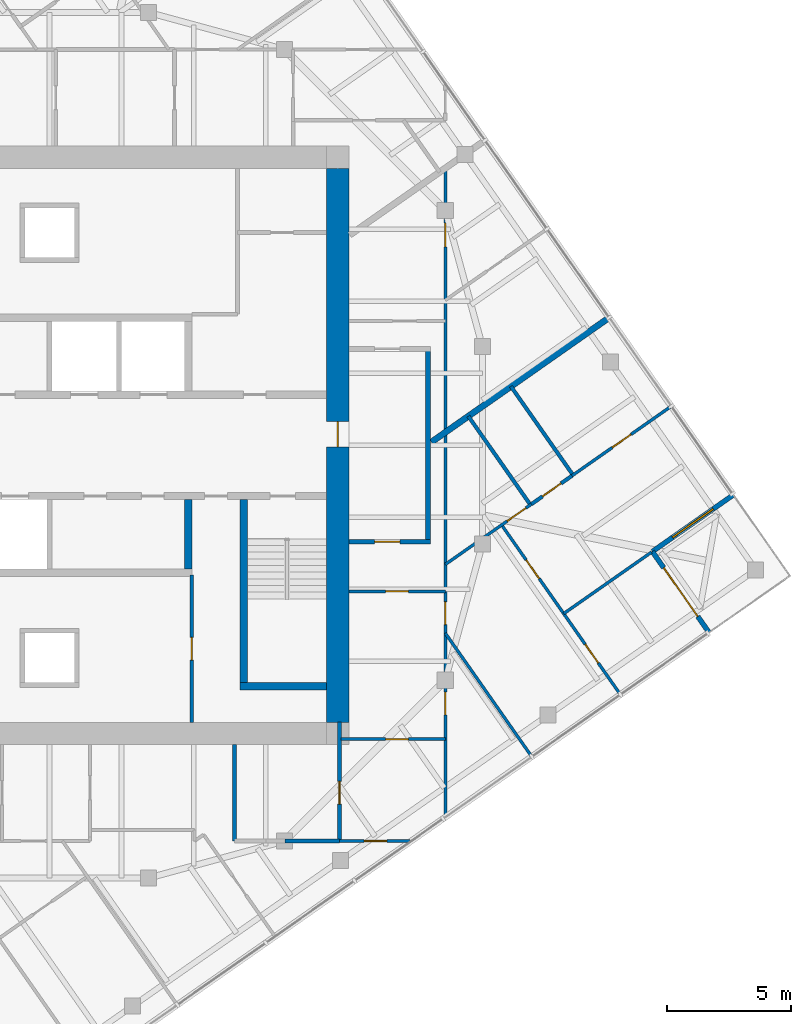
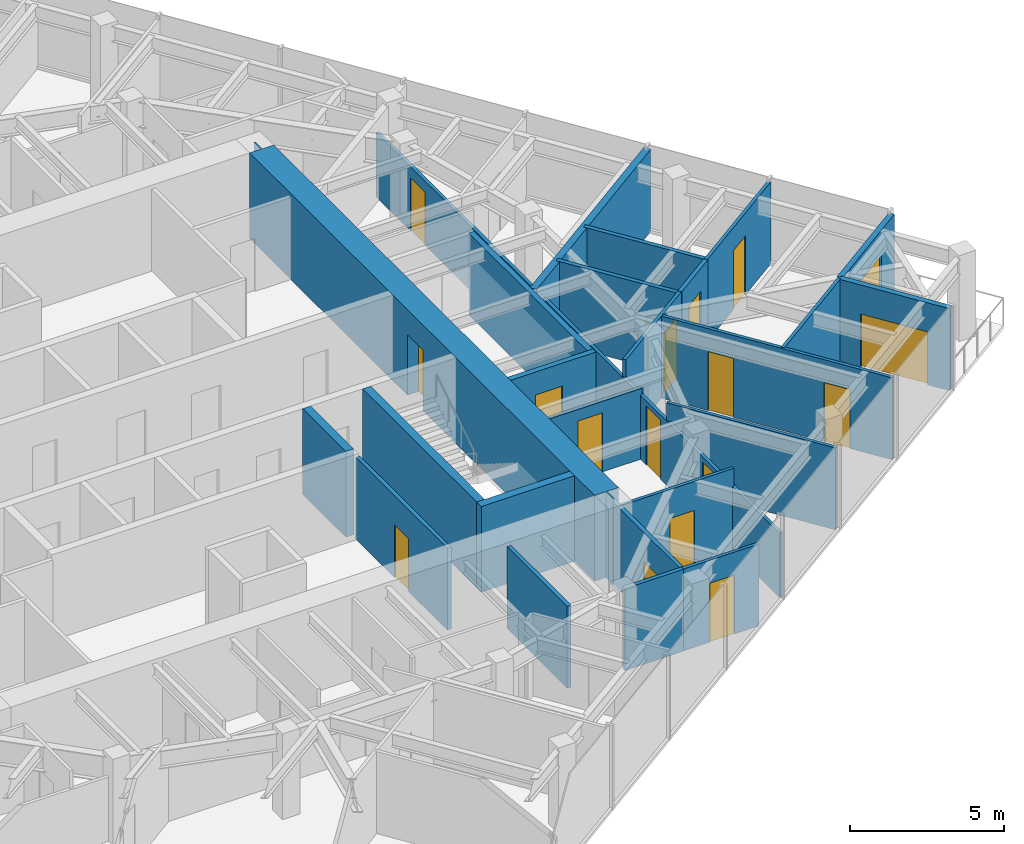
# One storey, part 9 of 12: 25 walls, 16 doors, 1 window, 17 openings.
"""IFC4 building model written with IfcOpenShell, lengths in metres."""

from ifc_helpers import new_model, si_unit, direction, frame, frame_2d, origin, place, context, subcontext, project, spatial, polyline, rectangle, outline, extrude, material, layer, layer_set, type_object, element, fill, save


model = new_model("IFC4")

# Units and contexts
model_context = context("Model", 3, precision=1e-05, world=origin(), true_north=direction((0.0, 1.0)))
body_context = subcontext(model_context, "Body", "Model", "MODEL_VIEW")
ifc_project = project(units=[si_unit("LENGTHUNIT", "METRE"), si_unit("AREAUNIT", "SQUARE_METRE"), si_unit("VOLUMEUNIT", "CUBIC_METRE"), si_unit("PLANEANGLEUNIT", "RADIAN"), si_unit("MASSUNIT", "GRAM", prefix="KILO")], contexts=[model_context])

# Site, building, storey
site_placement = place(None, origin())
site = spatial("IfcSite", under=ifc_project, at=site_placement, CompositionType="ELEMENT")
building_placement = place(site_placement, origin())
building = spatial("IfcBuilding", under=site, at=building_placement, Name="Torsade Residences", CompositionType="ELEMENT")
storey_placement = place(building_placement, frame((0.0, 0.0, 250.60009765625)))
storey = spatial("IfcBuildingStorey", under=building, at=storey_placement, Name="L69", CompositionType="ELEMENT", Elevation=250.60009765625)

# Walls
ifc_material_1 = material(Name="Concrete 80 MPa", Category="concrete")
ifc_layer_1 = layer(ifc_material_1, 0.300048828125)
ifc_layer_set_1 = layer_set([ifc_layer_1], Name="Concrete 80 MPa")
wall_type_1 = type_object("IfcWallType", Name="CORE INTERNAL WALL 300", PredefinedType="SHEAR", material=ifc_layer_set_1)
wall_1_placement = place(storey_placement, frame((45.60009765625, 27.800048828125, 0.0), z_axis=(0.0, 0.0, 1.0), x_axis=(0.0, -1.0, 0.0)))
element("IfcWall", 1, at=wall_1_placement, inside=storey, type_object=wall_type_1, Name="Core wall DS0 L69", PredefinedType="SHEAR", context=body_context, shape_type="SweptSolid", body=[
    extrude(rectangle(XDim=2.800048828125, YDim=0.300048828125, at=frame_2d((1.39990234375, 0.0))), origin(), (0.0, 0.0, 1.0), 3.39990234375),
])
wall_2_placement = place(storey_placement, frame((47.85009765625, 27.800048828125, 0.0), z_axis=(0.0, 0.0, 1.0), x_axis=(0.0, -1.0, 0.0)))
element("IfcWall", 2, at=wall_2_placement, inside=storey, type_object=wall_type_1, Name="Core wall ST2W L69", PredefinedType="SHEAR", context=body_context, shape_type="SweptSolid", body=[
    extrude(rectangle(XDim=7.699951171875, YDim=0.300048828125, at=frame_2d((3.85009765625, 0.0))), origin(), (0.0, 0.0, 1.0), 3.39990234375),
])
wall_3_placement = place(storey_placement, frame((51.199951171875, 20.25, 0.0), z_axis=(0.0, 0.0, 1.0), x_axis=(-1.0, 0.0, 0.0)))
element("IfcWall", 3, at=wall_3_placement, inside=storey, type_object=wall_type_1, Name="Core wall ST2S L69", PredefinedType="SHEAR", context=body_context, shape_type="SweptSolid", body=[
    extrude(rectangle(XDim=3.5, YDim=0.300048828125, at=frame_2d((1.75, 0.0))), origin(), (0.0, 0.0, 1.0), 3.39990234375),
])

# Wall, opening, door
ifc_material_2 = material(Name="Concrete 80 MPa", Category="concrete")
ifc_layer_2 = layer(ifc_material_2, 0.89990234375)
ifc_layer_set_2 = layer_set([ifc_layer_2], Name="Concrete 80 MPa")
wall_type_2 = type_object("IfcWallType", Name="CORE WALL 900", PredefinedType="SHEAR", material=ifc_layer_set_2)
wall_4_placement = place(storey_placement, frame((51.64990234375, 18.800048828125, 0.0), z_axis=(0.0, 0.0, 1.0), x_axis=(0.0, 1.0, 0.0)))
wall_4 = element("IfcWall", 4, at=wall_4_placement, inside=storey, type_object=wall_type_2, Name="Core wall E L69", PredefinedType="SHEAR", context=body_context, shape_type="SweptSolid", body=[
    extrude(outline(polyline([(0.0, -0.449951171875), (22.39990234375, -0.449951171875), (22.39990234375, -0.02490234375), (22.849853515625, -0.02490234375), (22.849853515625, 0.02490234375), (22.39990234375, 0.02490234375), (22.39990234375, 0.449951171875), (0.0, 0.449951171875), (0.0, 0.02490234375), (-0.449951171875, 0.02490234375), (-0.449951171875, -0.02490234375), (0.0, -0.02490234375), (0.0, -0.449951171875)])), origin(), (0.0, 0.0, 1.0), 3.39990234375),
])
opening_1_placement = place(wall_4_placement, frame((11.139892578125, 0.0, 0.0)))
opening_1 = element("IfcOpeningElement", 5, at=opening_1_placement, cuts=wall_4, Name="Opening D04", PredefinedType="OPENING", context=body_context, shape_type="SweptSolid", body=[
    extrude(rectangle(XDim=1.02001953125, YDim=2.39990234375, at=frame_2d((0.510009765625, 1.199951171875))), frame((0.0, 0.4599609375, 0.0), z_axis=(0.0, -1.0, 0.0), x_axis=(1.0, 0.0, 0.0)), (0.0, 0.0, 1.0), 0.919921875),
])
ifc_material_3 = material(Name="Steel-framed fire door", Category="steel")
door_type_1 = type_object("IfcDoorType", Name="LOBBY SMOKE DOOR 1020x2400", OperationType="NOTDEFINED", PredefinedType="DOOR", material=ifc_material_3)
door_1_placement = place(opening_1_placement, origin())
door_1 = element("IfcDoor", 6, at=door_1_placement, inside=storey, type_object=door_type_1, Name="Lift lobby door E L69", OperationType="SINGLE_SWING_LEFT", OverallHeight=2.39990234375, OverallWidth=1.02001953125, PredefinedType="DOOR", context=body_context, shape_type="SweptSolid", body=[
    extrude(rectangle(XDim=1.02001953125, YDim=2.39990234375, at=frame_2d((0.510009765625, 1.199951171875))), frame((0.0, 0.02490234375, 0.0), z_axis=(0.0, -1.0, 0.0), x_axis=(1.0, 0.0, 0.0)), (0.0, 0.0, 1.0), 0.050048828125),
])
fill(opening_1, door_1)

# Wall
ifc_material_4 = material(Name="Plasterboard on steel stud", Category="steel")
ifc_layer_3 = layer(ifc_material_4, 0.199951171875)
ifc_layer_set_3 = layer_set([ifc_layer_3], Name="Plasterboard on steel stud")
wall_type_3 = type_object("IfcWallType", Name="CORRIDOR WALL 200", PredefinedType="PARTITIONING", material=ifc_layer_set_3)
wall_5_placement = place(storey_placement, frame((55.300048828125, 26.10009765625, 0.0), z_axis=(0.0, 0.0, 1.0), x_axis=(0.0, 1.0, 0.0)))
element("IfcWall", 7, at=wall_5_placement, inside=storey, type_object=wall_type_3, Name="Corridor wall L69", PredefinedType="PARTITIONING", context=body_context, shape_type="SweptSolid", body=[
    extrude(rectangle(XDim=7.7998046875, YDim=0.199951171875, at=frame_2d((3.89990234375, 0.0))), origin(), (0.0, 0.0, 1.0), 3.25),
])

# Wall, opening, door
wall_6_placement = place(storey_placement, frame((52.10009765625, 26.10009765625, 0.0), z_axis=(0.0, 0.0, 1.0), x_axis=(1.0, 0.0, 0.0)))
wall_6 = element("IfcWall", 8, at=wall_6_placement, inside=storey, type_object=wall_type_3, Name="Corridor wall L69", PredefinedType="PARTITIONING", context=body_context, shape_type="SweptSolid", body=[
    extrude(rectangle(XDim=3.2998046875, YDim=0.199951171875, at=frame_2d((1.64990234375, 0.0))), origin(), (0.0, 0.0, 1.0), 3.25),
])
opening_2_placement = place(wall_6_placement, frame((1.0400390625, 0.0, 0.0)))
opening_2 = element("IfcOpeningElement", 9, at=opening_2_placement, cuts=wall_6, Name="Opening D01", PredefinedType="OPENING", context=body_context, shape_type="SweptSolid", body=[
    extrude(rectangle(XDim=1.02001953125, YDim=2.340087890625, at=frame_2d((0.510009765625, 1.169921875))), frame((0.0, 0.10986328125, 0.0), z_axis=(0.0, -1.0, 0.0), x_axis=(1.0, 0.0, 0.0)), (0.0, 0.0, 1.0), 0.219970703125),
])
ifc_material_5 = material(Name="Solid-core timber fire door", Category="wood")
door_type_2 = type_object("IfcDoorType", Name="APARTMENT ENTRY DOOR 1020x2340", OperationType="NOTDEFINED", PredefinedType="DOOR", material=ifc_material_5)
door_2_placement = place(opening_2_placement, origin())
door_2 = element("IfcDoor", 10, at=door_2_placement, inside=storey, type_object=door_type_2, Name="Door Residential corridor to Kitchen and dining", OperationType="SINGLE_SWING_LEFT", OverallHeight=2.340087890625, OverallWidth=1.02001953125, PredefinedType="DOOR", context=body_context, shape_type="SweptSolid", body=[
    extrude(rectangle(XDim=1.02001953125, YDim=2.340087890625, at=frame_2d((0.510009765625, 1.169921875))), frame((0.0, 0.02490234375, 0.0), z_axis=(0.0, -1.0, 0.0), x_axis=(1.0, 0.0, 0.0)), (0.0, 0.0, 1.0), 0.050048828125),
])
fill(opening_2, door_2)

ifc_material_6 = material(Name="Plasterboard on steel stud", Category="steel")
ifc_layer_4 = layer(ifc_material_6, 0.1201171875)
ifc_layer_set_4 = layer_set([ifc_layer_4], Name="Plasterboard on steel stud")
wall_type_4 = type_object("IfcWallType", Name="PARTITION 120", PredefinedType="PARTITIONING", material=ifc_layer_set_4)
wall_7_placement = place(storey_placement, frame((56.0, 24.0947265625, 0.0), z_axis=(0.0, 0.0, 1.0), x_axis=(-1.0, 0.0, 0.0)))
wall_7 = element("IfcWall", 11, at=wall_7_placement, inside=storey, type_object=wall_type_4, Name="Partition L69", PredefinedType="PARTITIONING", context=body_context, shape_type="SweptSolid", body=[
    extrude(rectangle(XDim=3.89990234375, YDim=0.1201171875, at=frame_2d((1.949951171875, 0.0))), origin(), (0.0, 0.0, 1.0), 2.7958984375),
])
opening_3_placement = place(wall_7_placement, frame((1.489990234375, 0.0, 0.0)))
opening_3 = element("IfcOpeningElement", 12, at=opening_3_placement, cuts=wall_7, Name="Opening D02", PredefinedType="OPENING", context=body_context, shape_type="SweptSolid", body=[
    extrude(rectangle(XDim=0.919921875, YDim=2.340087890625, at=frame_2d((0.4599609375, 1.169921875))), frame((0.0, 0.070068359375, 0.0), z_axis=(0.0, -1.0, 0.0), x_axis=(1.0, 0.0, 0.0)), (0.0, 0.0, 1.0), 0.14013671875),
])
ifc_material_7 = material(Name="Hollow-core timber door", Category="wood")
door_type_3 = type_object("IfcDoorType", Name="INTERNAL DOOR 920x2340", OperationType="NOTDEFINED", PredefinedType="DOOR", material=ifc_material_7)
door_3_placement = place(opening_3_placement, origin())
door_3 = element("IfcDoor", 13, at=door_3_placement, inside=storey, type_object=door_type_3, Name="Door Kitchen and dining to Walk-in robe", OperationType="SINGLE_SWING_LEFT", OverallHeight=2.340087890625, OverallWidth=0.919921875, PredefinedType="DOOR", context=body_context, shape_type="SweptSolid", body=[
    extrude(rectangle(XDim=0.919921875, YDim=2.340087890625, at=frame_2d((0.4599609375, 1.169921875))), frame((0.0, 0.02490234375, 0.0), z_axis=(0.0, -1.0, 0.0), x_axis=(1.0, 0.0, 0.0)), (0.0, 0.0, 1.0), 0.050048828125),
])
fill(opening_3, door_3)

# Wall, openings, doors
wall_8_placement = place(storey_placement, frame((56.0, 41.203369140625, 0.0), z_axis=(0.0, 0.0, 1.0), x_axis=(0.0, -1.0, 0.0)))
wall_8 = element("IfcWall", 14, at=wall_8_placement, inside=storey, type_object=wall_type_4, Name="Partition L69", PredefinedType="PARTITIONING", context=body_context, shape_type="SweptSolid", body=[
    extrude(rectangle(XDim=26.19775390625, YDim=0.1201171875, at=frame_2d((13.098876953125, 0.0))), origin(), (0.0, 0.0, 1.0), 2.5498046875),
])
opening_4_placement = place(wall_8_placement, frame((21.1884765625, 0.0, 0.0)))
opening_4 = element("IfcOpeningElement", 15, at=opening_4_placement, cuts=wall_8, Name="Opening D02", PredefinedType="OPENING", context=body_context, shape_type="SweptSolid", body=[
    extrude(rectangle(XDim=0.919921875, YDim=2.340087890625, at=frame_2d((0.4599609375, 1.169921875))), frame((0.0, 0.070068359375, 0.0), z_axis=(0.0, -1.0, 0.0), x_axis=(1.0, 0.0, 0.0)), (0.0, 0.0, 1.0), 0.14013671875),
])
opening_5_placement = place(wall_8_placement, frame((17.537109375, 0.0, 0.0)))
opening_5 = element("IfcOpeningElement", 16, at=opening_5_placement, cuts=wall_8, Name="Opening D02", PredefinedType="OPENING", context=body_context, shape_type="SweptSolid", body=[
    extrude(rectangle(XDim=0.919921875, YDim=2.340087890625, at=frame_2d((0.4599609375, 1.169921875))), frame((0.0, 0.070068359375, 0.0), z_axis=(0.0, -1.0, 0.0), x_axis=(1.0, 0.0, 0.0)), (0.0, 0.0, 1.0), 0.14013671875),
])
opening_6_placement = place(wall_8_placement, frame((2.220947265625, 0.0, 0.0)))
opening_6 = element("IfcOpeningElement", 17, at=opening_6_placement, cuts=wall_8, Name="Opening D05", PredefinedType="OPENING", context=body_context, shape_type="SweptSolid", body=[
    extrude(rectangle(XDim=0.9599609375, YDim=2.10009765625, at=frame_2d((0.47998046875, 1.050048828125))), frame((0.0, 0.070068359375, 0.0), z_axis=(0.0, -1.0, 0.0), x_axis=(1.0, 0.0, 0.0)), (0.0, 0.0, 1.0), 0.14013671875),
])
ifc_material_8 = material(Name="Hollow-core timber door in a steel cavity frame", Category="steel")
door_type_4 = type_object("IfcDoorType", Name="BATHROOM CAVITY SLIDING DOOR 960", OperationType="SLIDING_TO_LEFT", PredefinedType="DOOR", material=ifc_material_8)
door_4_placement = place(opening_6_placement, origin())
door_4 = element("IfcDoor", 18, at=door_4_placement, inside=storey, type_object=door_type_4, Name="Door Bathroom to Bedroom 1", OperationType="SLIDING_TO_LEFT", OverallHeight=2.10009765625, OverallWidth=0.9599609375, PredefinedType="DOOR", context=body_context, shape_type="SweptSolid", body=[
    extrude(rectangle(XDim=0.9599609375, YDim=2.10009765625, at=frame_2d((0.47998046875, 1.050048828125))), frame((0.0, 0.02490234375, 0.0), z_axis=(0.0, -1.0, 0.0), x_axis=(1.0, 0.0, 0.0)), (0.0, 0.0, 1.0), 0.050048828125),
])
fill(opening_6, door_4)
door_5_placement = place(opening_4_placement, origin())
door_5 = element("IfcDoor", 19, at=door_5_placement, inside=storey, type_object=door_type_3, Name="Door Walk-in robe to Media room 2", OperationType="SINGLE_SWING_LEFT", OverallHeight=2.340087890625, OverallWidth=0.919921875, PredefinedType="DOOR", context=body_context, shape_type="SweptSolid", body=[
    extrude(rectangle(XDim=0.919921875, YDim=2.340087890625, at=frame_2d((0.4599609375, 1.169921875))), frame((0.0, 0.02490234375, 0.0), z_axis=(0.0, -1.0, 0.0), x_axis=(1.0, 0.0, 0.0)), (0.0, 0.0, 1.0), 0.050048828125),
])
fill(opening_4, door_5)
door_6_placement = place(opening_5_placement, origin())
door_6 = element("IfcDoor", 20, at=door_6_placement, inside=storey, type_object=door_type_3, Name="Door Walk-in robe to Bedroom 3", OperationType="SINGLE_SWING_RIGHT", OverallHeight=2.340087890625, OverallWidth=0.919921875, PredefinedType="DOOR", context=body_context, shape_type="SweptSolid", body=[
    extrude(rectangle(XDim=0.919921875, YDim=2.340087890625, at=frame_2d((0.4599609375, 1.169921875))), frame((0.0, 0.02490234375, 0.0), z_axis=(0.0, -1.0, 0.0), x_axis=(1.0, 0.0, 0.0)), (0.0, 0.0, 1.0), 0.050048828125),
])
fill(opening_5, door_6)

# Wall, opening, door
wall_9_placement = place(storey_placement, frame((51.77734375, 18.11767578125, 0.0), z_axis=(0.0, 0.0, 1.0), x_axis=(1.0, 0.0, 0.0)))
wall_9 = element("IfcWall", 21, at=wall_9_placement, inside=storey, type_object=wall_type_4, Name="Partition L69", PredefinedType="PARTITIONING", context=body_context, shape_type="SweptSolid", body=[
    extrude(rectangle(XDim=4.22265625, YDim=0.1201171875, at=frame_2d((2.111328125, 0.0))), origin(), (0.0, 0.0, 1.0), 3.25),
])
opening_7_placement = place(wall_9_placement, frame((1.8125, 0.0, 0.0)))
opening_7 = element("IfcOpeningElement", 22, at=opening_7_placement, cuts=wall_9, Name="Opening D02L", PredefinedType="OPENING", context=body_context, shape_type="SweptSolid", body=[
    extrude(rectangle(XDim=0.919921875, YDim=2.10009765625, at=frame_2d((0.4599609375, 1.050048828125))), frame((0.0, 0.070068359375, 0.0), z_axis=(0.0, -1.0, 0.0), x_axis=(1.0, 0.0, 0.0)), (0.0, 0.0, 1.0), 0.14013671875),
])
ifc_material_9 = material(Name="Hollow-core timber door", Category="wood")
door_type_5 = type_object("IfcDoorType", Name="INTERNAL DOOR 920x2100", OperationType="NOTDEFINED", PredefinedType="DOOR", material=ifc_material_9)
door_7_placement = place(opening_7_placement, origin())
door_7 = element("IfcDoor", 23, at=door_7_placement, inside=storey, type_object=door_type_5, Name="Door Walk-in robe to Study", OperationType="SINGLE_SWING_LEFT", OverallHeight=2.10009765625, OverallWidth=0.919921875, PredefinedType="DOOR", context=body_context, shape_type="SweptSolid", body=[
    extrude(rectangle(XDim=0.919921875, YDim=2.10009765625, at=frame_2d((0.4599609375, 1.050048828125))), frame((0.0, 0.02490234375, 0.0), z_axis=(0.0, -1.0, 0.0), x_axis=(1.0, 0.0, 0.0)), (0.0, 0.0, 1.0), 0.050048828125),
])
fill(opening_7, door_7)

wall_10_placement = place(storey_placement, frame((54.56396484375, 14.0, 0.0), z_axis=(0.0, 0.0, 1.0), x_axis=(-1.0, 0.0, 0.0)))
wall_10 = element("IfcWall", 24, at=wall_10_placement, inside=storey, type_object=wall_type_4, Name="Partition L69", PredefinedType="PARTITIONING", context=body_context, shape_type="SweptSolid", body=[
    extrude(rectangle(XDim=2.841552734375, YDim=0.1201171875, at=frame_2d((1.4208984375, 0.0))), origin(), (0.0, 0.0, 1.0), 3.25),
])
opening_8_placement = place(wall_10_placement, frame((0.926025390625, 0.0, 0.0)))
opening_8 = element("IfcOpeningElement", 25, at=opening_8_placement, cuts=wall_10, Name="Opening D02", PredefinedType="OPENING", context=body_context, shape_type="SweptSolid", body=[
    extrude(rectangle(XDim=0.919921875, YDim=2.340087890625, at=frame_2d((0.4599609375, 1.169921875))), frame((0.0, 0.070068359375, 0.0), z_axis=(0.0, -1.0, 0.0), x_axis=(1.0, 0.0, 0.0)), (0.0, 0.0, 1.0), 0.14013671875),
])
door_8_placement = place(opening_8_placement, origin())
door_8 = element("IfcDoor", 26, at=door_8_placement, inside=storey, type_object=door_type_3, Name="Door Study to Dining room", OperationType="SINGLE_SWING_RIGHT", OverallHeight=2.340087890625, OverallWidth=0.919921875, PredefinedType="DOOR", context=body_context, shape_type="SweptSolid", body=[
    extrude(rectangle(XDim=0.919921875, YDim=2.340087890625, at=frame_2d((0.4599609375, 1.169921875))), frame((0.0, 0.02490234375, 0.0), z_axis=(0.0, -1.0, 0.0), x_axis=(1.0, 0.0, 0.0)), (0.0, 0.0, 1.0), 0.050048828125),
])
fill(opening_8, door_8)

# Wall, openings, doors
wall_11_placement = place(storey_placement, frame((63.060302734375, 19.94921875, 0.0), z_axis=(0.0, 0.0, 1.0), x_axis=(-0.573576357466, 0.819152099525, 0.0)))
wall_11 = element("IfcWall", 27, at=wall_11_placement, inside=storey, type_object=wall_type_4, Name="Partition L69", PredefinedType="PARTITIONING", context=body_context, shape_type="SweptSolid", body=[
    extrude(rectangle(XDim=8.3349609375, YDim=0.1201171875, at=frame_2d((4.16748046875, 0.0))), origin(), (0.0, 0.0, 1.0), 3.25),
])
opening_9_placement = place(wall_11_placement, frame((5.6875, 0.0, 0.0)))
opening_9 = element("IfcOpeningElement", 28, at=opening_9_placement, cuts=wall_11, Name="Opening D02", PredefinedType="OPENING", context=body_context, shape_type="SweptSolid", body=[
    extrude(rectangle(XDim=0.919921875, YDim=2.340087890625, at=frame_2d((0.4599609375, 1.169921875))), frame((0.0, 0.070068359375, 0.0), z_axis=(0.0, -1.0, 0.0), x_axis=(1.0, 0.0, 0.0)), (0.0, 0.0, 1.0), 0.14013671875),
])
opening_10_placement = place(wall_11_placement, frame((1.52490234375, 0.0, 0.0)))
opening_10 = element("IfcOpeningElement", 29, at=opening_10_placement, cuts=wall_11, Name="Opening D02", PredefinedType="OPENING", context=body_context, shape_type="SweptSolid", body=[
    extrude(rectangle(XDim=0.919921875, YDim=2.340087890625, at=frame_2d((0.4599609375, 1.169921875))), frame((0.0, 0.070068359375, 0.0), z_axis=(0.0, -1.0, 0.0), x_axis=(1.0, 0.0, 0.0)), (0.0, 0.0, 1.0), 0.14013671875),
])
door_9_placement = place(opening_9_placement, origin())
door_9 = element("IfcDoor", 30, at=door_9_placement, inside=storey, type_object=door_type_3, Name="Door Bedroom 3 to Bedroom 2", OperationType="SINGLE_SWING_RIGHT", OverallHeight=2.340087890625, OverallWidth=0.919921875, PredefinedType="DOOR", context=body_context, shape_type="SweptSolid", body=[
    extrude(rectangle(XDim=0.919921875, YDim=2.340087890625, at=frame_2d((0.4599609375, 1.169921875))), frame((0.0, 0.02490234375, 0.0), z_axis=(0.0, -1.0, 0.0), x_axis=(1.0, 0.0, 0.0)), (0.0, 0.0, 1.0), 0.050048828125),
])
fill(opening_9, door_9)
door_10_placement = place(opening_10_placement, origin())
door_10 = element("IfcDoor", 31, at=door_10_placement, inside=storey, type_object=door_type_3, Name="Door Bedroom 3 to Study 3", OperationType="SINGLE_SWING_RIGHT", OverallHeight=2.340087890625, OverallWidth=0.919921875, PredefinedType="DOOR", context=body_context, shape_type="SweptSolid", body=[
    extrude(rectangle(XDim=0.919921875, YDim=2.340087890625, at=frame_2d((0.4599609375, 1.169921875))), frame((0.0, 0.02490234375, 0.0), z_axis=(0.0, -1.0, 0.0), x_axis=(1.0, 0.0, 0.0)), (0.0, 0.0, 1.0), 0.050048828125),
])
fill(opening_10, door_10)

# Wall, opening, door
wall_12_placement = place(storey_placement, frame((61.123046875, 28.767822265625, 0.0), z_axis=(0.0, 0.0, 1.0), x_axis=(0.819144657999, 0.573586984922, 0.0)))
wall_12 = element("IfcWall", 32, at=wall_12_placement, inside=storey, type_object=wall_type_4, Name="Partition L69", PredefinedType="PARTITIONING", context=body_context, shape_type="SweptSolid", body=[
    extrude(rectangle(XDim=4.86376953125, YDim=0.1201171875, at=frame_2d((2.431884765625, 0.0))), origin(), (0.0, 0.0, 1.0), 3.25),
])
opening_11_placement = place(wall_12_placement, frame((1.991943359375, 0.0, 0.0)))
opening_11 = element("IfcOpeningElement", 33, at=opening_11_placement, cuts=wall_12, Name="Opening D02", PredefinedType="OPENING", context=body_context, shape_type="SweptSolid", body=[
    extrude(rectangle(XDim=0.919921875, YDim=2.340087890625, at=frame_2d((0.4599609375, 1.169921875))), frame((0.0, 0.070068359375, 0.0), z_axis=(0.0, -1.0, 0.0), x_axis=(1.0, 0.0, 0.0)), (0.0, 0.0, 1.0), 0.14013671875),
])
door_11_placement = place(opening_11_placement, origin())
door_11 = element("IfcDoor", 34, at=door_11_placement, inside=storey, type_object=door_type_3, Name="Door Bedroom 2 to Family room", OperationType="SINGLE_SWING_LEFT", OverallHeight=2.340087890625, OverallWidth=0.919921875, PredefinedType="DOOR", context=body_context, shape_type="SweptSolid", body=[
    extrude(rectangle(XDim=0.919921875, YDim=2.340087890625, at=frame_2d((0.4599609375, 1.169921875))), frame((0.0, 0.02490234375, 0.0), z_axis=(0.0, -1.0, 0.0), x_axis=(1.0, 0.0, 0.0)), (0.0, 0.0, 1.0), 0.050048828125),
])
fill(opening_11, door_11)

wall_13_placement = place(storey_placement, frame((56.0, 25.1806640625, 0.0), z_axis=(0.0, 0.0, 1.0), x_axis=(0.819159093985, 0.573566368211, 0.0)))
wall_13 = element("IfcWall", 35, at=wall_13_placement, inside=storey, type_object=wall_type_4, Name="Partition L69", PredefinedType="PARTITIONING", context=body_context, shape_type="SweptSolid", body=[
    extrude(rectangle(XDim=4.252685546875, YDim=0.1201171875, at=frame_2d((2.12646484375, 0.0))), origin(), (0.0, 0.0, 1.0), 3.25),
])
opening_12_placement = place(wall_13_placement, frame((3.057861328125, 0.0, 0.0)))
opening_12 = element("IfcOpeningElement", 36, at=opening_12_placement, cuts=wall_13, Name="Opening D02", PredefinedType="OPENING", context=body_context, shape_type="SweptSolid", body=[
    extrude(rectangle(XDim=0.919921875, YDim=2.340087890625, at=frame_2d((0.4599609375, 1.169921875))), frame((0.0, 0.070068359375, 0.0), z_axis=(0.0, -1.0, 0.0), x_axis=(1.0, 0.0, 0.0)), (0.0, 0.0, 1.0), 0.14013671875),
])
door_12_placement = place(opening_12_placement, origin())
door_12 = element("IfcDoor", 37, at=door_12_placement, inside=storey, type_object=door_type_3, Name="Door Bedroom 2 to Walk-in robe 2", OperationType="SINGLE_SWING_RIGHT", OverallHeight=2.340087890625, OverallWidth=0.919921875, PredefinedType="DOOR", context=body_context, shape_type="SweptSolid", body=[
    extrude(rectangle(XDim=0.919921875, YDim=2.340087890625, at=frame_2d((0.4599609375, 1.169921875))), frame((0.0, 0.02490234375, 0.0), z_axis=(0.0, -1.0, 0.0), x_axis=(1.0, 0.0, 0.0)), (0.0, 0.0, 1.0), 0.050048828125),
])
fill(opening_12, door_12)

# Walls
wall_14_placement = place(storey_placement, frame((64.340087890625, 25.679443359375, 0.0), z_axis=(0.0, 0.0, 1.0), x_axis=(-0.819165768115, -0.573556836197, 0.0)))
element("IfcWall", 38, at=wall_14_placement, inside=storey, type_object=wall_type_4, Name="Partition L69", PredefinedType="PARTITIONING", context=body_context, shape_type="SweptSolid", body=[
    extrude(rectangle(XDim=4.3349609375, YDim=0.1201171875, at=frame_2d((2.16748046875, 0.0))), origin(), (0.0, 0.0, 1.0), 3.25),
])
wall_15_placement = place(storey_placement, frame((59.4765625, 17.439697265625, 0.0), z_axis=(0.0, 0.0, 1.0), x_axis=(-0.573573173989, 0.81915432861, 0.0)))
element("IfcWall", 39, at=wall_15_placement, inside=storey, type_object=wall_type_4, Name="Partition L69", PredefinedType="PARTITIONING", context=body_context, shape_type="SweptSolid", body=[
    extrude(rectangle(XDim=6.061279296875, YDim=0.1201171875, at=frame_2d((3.03076171875, 0.0))), origin(), (0.0, 0.0, 1.0), 3.25),
])
ifc_material_10 = material(Name="Masonry-lined stud party wall", Category="masonry")
ifc_layer_5 = layer(ifc_material_10, 0.25)
ifc_layer_set_5 = layer_set([ifc_layer_5], Name="Masonry-lined stud party wall")
wall_type_5 = type_object("IfcWallType", Name="PARTY WALL 250", PredefinedType="PARTITIONING", material=ifc_layer_set_5)
wall_16_placement = place(storey_placement, frame((62.630615234375, 35.164306640625, 0.0), z_axis=(0.0, 0.0, 1.0), x_axis=(-0.819152220062, -0.573576185321, 0.0)))
element("IfcWall", 40, at=wall_16_placement, inside=storey, type_object=wall_type_5, Name="Party wall L69", PredefinedType="PARTITIONING", context=body_context, shape_type="SweptSolid", body=[
    extrude(rectangle(XDim=8.779296875, YDim=0.25, at=frame_2d((4.3896484375, 0.0))), origin(), (0.0, 0.0, 1.0), 3.25),
])

# Wall, opening, door
ifc_material_11 = material(Name="Reinforced blockwork", Category="masonry")
ifc_layer_6 = layer(ifc_material_11, 0.14990234375)
ifc_layer_set_6 = layer_set([ifc_layer_6], Name="Reinforced blockwork")
wall_type_6 = type_object("IfcWallType", Name="SERVICE ROOM WALL 150", PredefinedType="SOLIDWALL", material=ifc_layer_set_6)
wall_17_placement = place(storey_placement, frame((45.75, 18.800048828125, 0.0), z_axis=(0.0, 0.0, 1.0), x_axis=(0.0, 1.0, 0.0)))
wall_17 = element("IfcWall", 41, at=wall_17_placement, inside=storey, type_object=wall_type_6, Name="Service room wall L69", PredefinedType="SOLIDWALL", context=body_context, shape_type="SweptSolid", body=[
    extrude(rectangle(XDim=5.949951171875, YDim=0.14990234375, at=frame_2d((2.97509765625, 0.0))), origin(), (0.0, 0.0, 1.0), 3.25),
])
opening_13_placement = place(wall_17_placement, frame((2.514892578125, 0.0, 0.0)))
opening_13 = element("IfcOpeningElement", 42, at=opening_13_placement, cuts=wall_17, Name="Opening D06", PredefinedType="OPENING", context=body_context, shape_type="SweptSolid", body=[
    extrude(rectangle(XDim=0.919921875, YDim=2.10009765625, at=frame_2d((0.4599609375, 1.050048828125))), frame((0.0, 0.0849609375, 0.0), z_axis=(0.0, -1.0, 0.0), x_axis=(1.0, 0.0, 0.0)), (0.0, 0.0, 1.0), 0.169921875),
])
ifc_material_12 = material(Name="Steel-framed fire door", Category="steel")
door_type_6 = type_object("IfcDoorType", Name="FIRE DOOR 920", OperationType="NOTDEFINED", PredefinedType="DOOR", material=ifc_material_12)
door_13_placement = place(opening_13_placement, origin())
door_13 = element("IfcDoor", 43, at=door_13_placement, inside=storey, type_object=door_type_6, Name="Door Communications equipment store to Communications riser room", OperationType="SINGLE_SWING_LEFT", OverallHeight=2.10009765625, OverallWidth=0.919921875, PredefinedType="DOOR", context=body_context, shape_type="SweptSolid", body=[
    extrude(rectangle(XDim=0.919921875, YDim=2.10009765625, at=frame_2d((0.4599609375, 1.050048828125))), frame((0.0, 0.02490234375, 0.0), z_axis=(0.0, -1.0, 0.0), x_axis=(1.0, 0.0, 0.0)), (0.0, 0.0, 1.0), 0.050048828125),
])
fill(opening_13, door_13)

wall_18_placement = place(storey_placement, frame((51.722412109375, 14.0, 0.0), z_axis=(0.0, 0.0, 1.0), x_axis=(0.0, 1.0, 0.0)))
wall_18 = element("IfcWall", 44, at=wall_18_placement, inside=storey, type_object=wall_type_6, Name="Service room wall L69", PredefinedType="SOLIDWALL", context=body_context, shape_type="SweptSolid", body=[
    extrude(rectangle(XDim=4.820068359375, YDim=0.14990234375, at=frame_2d((2.41015625, 0.0))), origin(), (0.0, 0.0, 1.0), 3.25),
])
opening_14_placement = place(wall_18_placement, frame((1.489990234375, 0.0, 0.0)))
opening_14 = element("IfcOpeningElement", 45, at=opening_14_placement, cuts=wall_18, Name="Opening D02L", PredefinedType="OPENING", context=body_context, shape_type="SweptSolid", body=[
    extrude(rectangle(XDim=0.919921875, YDim=2.10009765625, at=frame_2d((0.4599609375, 1.050048828125))), frame((0.0, 0.0849609375, 0.0), z_axis=(0.0, -1.0, 0.0), x_axis=(1.0, 0.0, 0.0)), (0.0, 0.0, 1.0), 0.169921875),
])
door_14_placement = place(opening_14_placement, origin())
door_14 = element("IfcDoor", 46, at=door_14_placement, inside=storey, type_object=door_type_5, Name="Door Study to Linen store", OperationType="SINGLE_SWING_RIGHT", OverallHeight=2.10009765625, OverallWidth=0.919921875, PredefinedType="DOOR", context=body_context, shape_type="SweptSolid", body=[
    extrude(rectangle(XDim=0.919921875, YDim=2.10009765625, at=frame_2d((0.4599609375, 1.050048828125))), frame((0.0, 0.02490234375, 0.0), z_axis=(0.0, -1.0, 0.0), x_axis=(1.0, 0.0, 0.0)), (0.0, 0.0, 1.0), 0.050048828125),
])
fill(opening_14, door_14)

# Walls
wall_19_placement = place(storey_placement, frame((51.722412109375, 14.0, 0.0), z_axis=(0.0, 0.0, 1.0), x_axis=(-1.0, 0.0, 0.0)))
element("IfcWall", 47, at=wall_19_placement, inside=storey, type_object=wall_type_6, Name="Service room wall L69", PredefinedType="SOLIDWALL", context=body_context, shape_type="SweptSolid", body=[
    extrude(rectangle(XDim=2.201904296875, YDim=0.14990234375, at=frame_2d((1.10107421875, 0.0))), origin(), (0.0, 0.0, 1.0), 3.25),
])
wall_20_placement = place(storey_placement, frame((47.476318359375, 14.0, 0.0), z_axis=(0.0, 0.0, 1.0), x_axis=(0.0, 1.0, 0.0)))
element("IfcWall", 48, at=wall_20_placement, inside=storey, type_object=wall_type_6, Name="Service room wall L69", PredefinedType="SOLIDWALL", context=body_context, shape_type="SweptSolid", body=[
    extrude(rectangle(XDim=3.89990234375, YDim=0.14990234375, at=frame_2d((1.949951171875, 0.0))), origin(), (0.0, 0.0, 1.0), 3.25),
])

# Wall, opening, door
wall_21_placement = place(storey_placement, frame((59.483642578125, 27.619873046875, 0.0), z_axis=(0.0, 0.0, 1.0), x_axis=(0.819145946981, 0.573585144111, 0.0)))
wall_21 = element("IfcWall", 49, at=wall_21_placement, inside=storey, type_object=wall_type_6, Name="Service room wall L69", PredefinedType="SOLIDWALL", context=body_context, shape_type="SweptSolid", body=[
    extrude(rectangle(XDim=2.00146484375, YDim=0.14990234375, at=frame_2d((1.000732421875, 0.0))), origin(), (0.0, 0.0, 1.0), 3.25),
])
opening_15_placement = place(wall_21_placement, frame((0.540771484375, 0.0, 0.0)))
opening_15 = element("IfcOpeningElement", 50, at=opening_15_placement, cuts=wall_21, Name="Opening D02", PredefinedType="OPENING", context=body_context, shape_type="SweptSolid", body=[
    extrude(rectangle(XDim=0.919921875, YDim=2.340087890625, at=frame_2d((0.4599609375, 1.169921875))), frame((0.0, 0.0849609375, 0.0), z_axis=(0.0, -1.0, 0.0), x_axis=(1.0, 0.0, 0.0)), (0.0, 0.0, 1.0), 0.169921875),
])
door_15_placement = place(opening_15_placement, origin())
door_15 = element("IfcDoor", 51, at=door_15_placement, inside=storey, type_object=door_type_3, Name="Door Bedroom 2 to Linen store 2", OperationType="SINGLE_SWING_LEFT", OverallHeight=2.340087890625, OverallWidth=0.919921875, PredefinedType="DOOR", context=body_context, shape_type="SweptSolid", body=[
    extrude(rectangle(XDim=0.919921875, YDim=2.340087890625, at=frame_2d((0.4599609375, 1.169921875))), frame((0.0, 0.02490234375, 0.0), z_axis=(0.0, -1.0, 0.0), x_axis=(1.0, 0.0, 0.0)), (0.0, 0.0, 1.0), 0.050048828125),
])
fill(opening_15, door_15)

# Walls
for number, where, z_axis, x_axis, name in (
    (52, (61.1640625, 28.796630859375, 0.0), (0.0, 0.0, 1.0), (-0.573563463091, 0.81916112811, 0.0), "Service room wall L69"),
    (53, (56.933349609375, 31.175048828125, 0.0), (0.0, 0.0, 1.0), (0.573563463091, -0.81916112811, 0.0), "Service room wall L69"),
):
    element("IfcWall", number, at=place(storey_placement, frame(where, z_axis=z_axis, x_axis=x_axis)), inside=storey, type_object=wall_type_6, Name=name, PredefinedType="SOLIDWALL", context=body_context, shape_type="SweptSolid", body=[
        extrude(rectangle(XDim=4.375, YDim=0.14990234375, at=frame_2d((2.1875, 0.0))), origin(), (0.0, 0.0, 1.0), 3.25),
    ])

# Wall, opening, door
ifc_material_13 = material(Name="Stone-faced precast concrete 40 MPa panel", Category="masonry")
ifc_layer_7 = layer(ifc_material_13, 0.199951171875)
ifc_layer_set_7 = layer_set([ifc_layer_7], Name="Stone-faced precast concrete 40 MPa panel")
wall_type_7 = type_object("IfcWallType", Name="TERRACE WALL 200", PredefinedType="SOLIDWALL", material=ifc_layer_set_7)
wall_22_placement = place(storey_placement, frame((66.6669921875, 22.42578125, 0.0), z_axis=(0.0, 0.0, 1.0), x_axis=(-0.573556557423, 0.819165963305, 0.0)))
wall_22 = element("IfcWall", 54, at=wall_22_placement, inside=storey, type_object=wall_type_7, Name="Terrace wall L69 2", PredefinedType="SOLIDWALL", context=body_context, shape_type="SweptSolid", body=[
    extrude(rectangle(XDim=4.0, YDim=0.199951171875, at=frame_2d((2.0, 0.0))), origin(), (0.0, 0.0, 1.0), 3.25),
])
opening_16_placement = place(wall_22_placement, frame((0.800048828125, 0.0, 0.0)))
opening_16 = element("IfcOpeningElement", 55, at=opening_16_placement, cuts=wall_22, Name="Opening D10A", PredefinedType="OPENING", context=body_context, shape_type="SweptSolid", body=[
    extrude(rectangle(XDim=2.39990234375, YDim=2.10009765625, at=frame_2d((1.199951171875, 1.050048828125))), frame((0.0, 0.10986328125, 0.0), z_axis=(0.0, -1.0, 0.0), x_axis=(1.0, 0.0, 0.0)), (0.0, 0.0, 1.0), 0.219970703125),
])
ifc_material_14 = material(Name="Aluminium-framed glass door", Category="aluminium")
door_type_7 = type_object("IfcDoorType", Name="TERRACE SLIDING DOOR 2400x2100", OperationType="SLIDING_TO_LEFT", PredefinedType="DOOR", material=ifc_material_14)
door_16_placement = place(opening_16_placement, origin())
door_16 = element("IfcDoor", 56, at=door_16_placement, inside=storey, type_object=door_type_7, Name="Terrace door L69 2", OperationType="SLIDING_TO_LEFT", OverallHeight=2.10009765625, OverallWidth=2.39990234375, PredefinedType="DOOR", context=body_context, shape_type="SweptSolid", body=[
    extrude(rectangle(XDim=2.39990234375, YDim=2.10009765625, at=frame_2d((1.199951171875, 1.050048828125))), frame((0.0, 0.02490234375, 0.0), z_axis=(0.0, -1.0, 0.0), x_axis=(1.0, 0.0, 0.0)), (0.0, 0.0, 1.0), 0.050048828125),
])
fill(opening_16, door_16)

# Wall, opening, window
wall_23_placement = place(storey_placement, frame((64.372802734375, 25.702392578125, 0.0), z_axis=(0.0, 0.0, 1.0), x_axis=(0.819137286189, 0.573597512525, 0.0)))
wall_23 = element("IfcWall", 57, at=wall_23_placement, inside=storey, type_object=wall_type_7, Name="Terrace wall L69 3", PredefinedType="SOLIDWALL", context=body_context, shape_type="SweptSolid", body=[
    extrude(rectangle(XDim=4.0, YDim=0.199951171875, at=frame_2d((2.0, 0.0))), origin(), (0.0, 0.0, 1.0), 3.25),
])
opening_17_placement = place(wall_23_placement, frame((1.0, 0.0, 0.449951171875)))
opening_17 = element("IfcOpeningElement", 58, at=opening_17_placement, cuts=wall_23, Name="Opening W1B", PredefinedType="OPENING", context=body_context, shape_type="SweptSolid", body=[
    extrude(rectangle(XDim=2.0, YDim=1.800048828125, at=frame_2d((1.0, 0.89990234375))), frame((0.0, 0.10986328125, 0.0), z_axis=(0.0, -1.0, 0.0), x_axis=(1.0, 0.0, 0.0)), (0.0, 0.0, 1.0), 0.219970703125),
])
ifc_material_15 = material(Name="Aluminium-framed glass window", Category="aluminium")
window_type = type_object("IfcWindowType", Name="TERRACE WINDOW 2000x1800", PartitioningType="SINGLE_PANEL", PredefinedType="WINDOW", material=ifc_material_15)
window_placement = place(opening_17_placement, origin())
window = element("IfcWindow", 59, at=window_placement, inside=storey, type_object=window_type, Name="Terrace window L69 3", OverallHeight=1.800048828125, OverallWidth=2.0, PartitioningType="SINGLE_PANEL", PredefinedType="WINDOW", context=body_context, shape_type="SweptSolid", body=[
    extrude(rectangle(XDim=2.0, YDim=1.800048828125, at=frame_2d((1.0, 0.89990234375))), frame((0.0, 0.030029296875, 0.0), z_axis=(0.0, -1.0, 0.0), x_axis=(1.0, 0.0, 0.0)), (0.0, 0.0, 1.0), 0.06005859375),
])
fill(opening_17, window)

save(model, "model.ifc")
